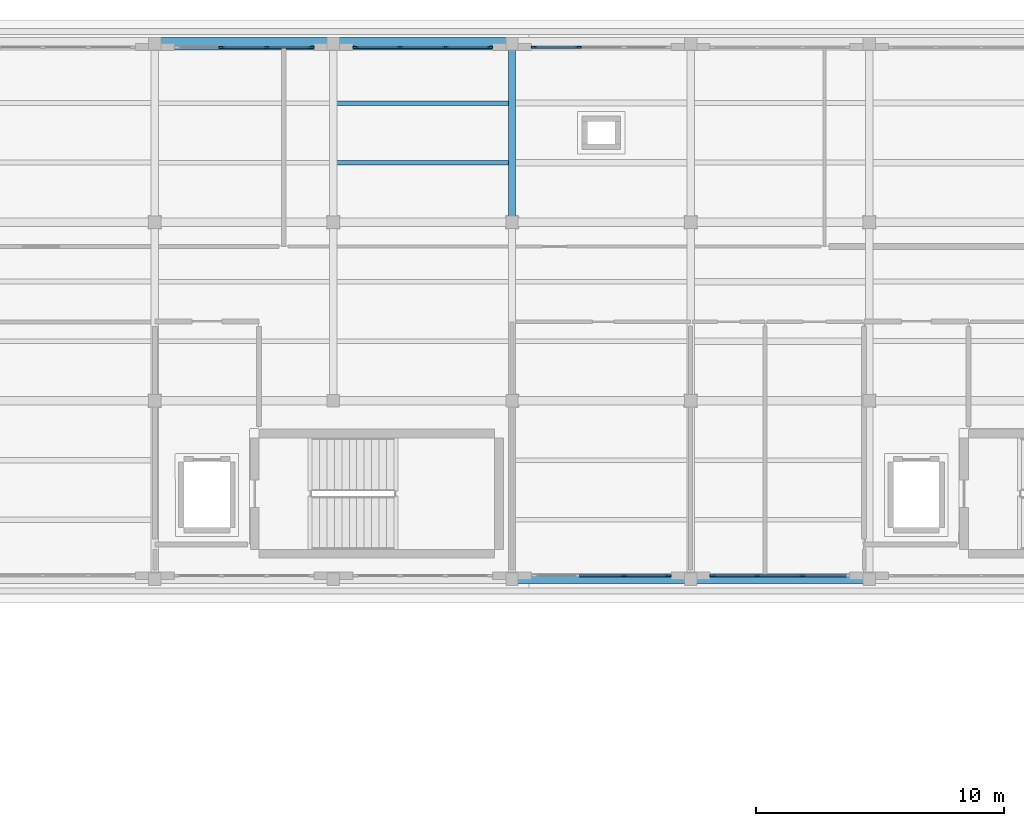
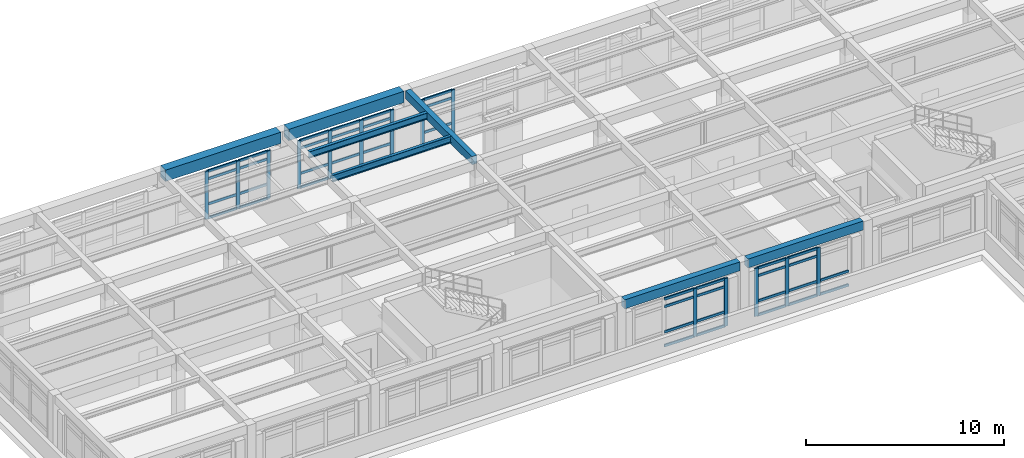
# One storey, part 5 of 20: 56 members, 7 beams, 5 elements without a shape of their own.
"""IFC4 building model written with IfcOpenShell, lengths in metres."""

from ifc_helpers import new_model, si_unit, direction, frame, origin, origin_2d, place, context, subcontext, project, spatial, rectangle, i_section, extrude, material, layer, layer_set, material_profile, profile_set, type_object, element, aggregate, save


model = new_model("IFC4")

# Units and contexts
model_context = context("Model", 3, precision=1e-05, world=origin(), true_north=direction((0.0, 1.0)))
body_context = subcontext(model_context, "Body", "Model", "MODEL_VIEW")
ifc_project = project(units=[si_unit("LENGTHUNIT", "METRE"), si_unit("AREAUNIT", "SQUARE_METRE"), si_unit("VOLUMEUNIT", "CUBIC_METRE"), si_unit("PLANEANGLEUNIT", "RADIAN"), si_unit("MASSUNIT", "GRAM", prefix="KILO")], contexts=[model_context])

# Site, building, storey
site_placement = place(None, origin())
site = spatial("IfcSite", under=ifc_project, at=site_placement, CompositionType="ELEMENT")
building_placement = place(site_placement, origin())
building = spatial("IfcBuilding", under=site, at=building_placement, Name="Solenvale Faculty of Natural Sciences", CompositionType="ELEMENT")
storey_placement = place(building_placement, frame((0.0, 0.0, 35.39990234375)))
storey = spatial("IfcBuildingStorey", under=building, at=storey_placement, Name="L08", CompositionType="ELEMENT", Elevation=35.39990234375)

# Beams
ifc_material_1 = material(Name="Concrete 40 MPa", Category="concrete")
ifc_material_profile_1 = material_profile(ifc_material_1, rectangle(XDim=0.300048828125, YDim=0.5, at=origin_2d()), Name="RC-BM-300x500")
ifc_profile_set_1 = profile_set([ifc_material_profile_1], Name="Concrete 40 MPa")
beam_type_1 = type_object("IfcBeamType", Name="BM-RC-300x500", PredefinedType="BEAM", material=ifc_profile_set_1)
beam_1_placement = place(storey_placement, frame((115.199951171875, 108.22998046875, 3.670166015625), z_axis=(0.0, 1.0, 0.0), x_axis=(-1.0, 0.0, 0.0)))
element("IfcBeam", 1, at=beam_1_placement, inside=storey, type_object=beam_type_1, Name="L08 Y-Girder X115.2 (108.0..115.2)", PredefinedType="BEAM", context=body_context, shape_type="SweptSolid", body=[
    extrude(rectangle(XDim=0.300048828125, YDim=0.5, at=origin_2d()), origin(), (0.0, 0.0, 1.0), 6.739990234375),
])
ifc_material_profile_2 = material_profile(ifc_material_1, rectangle(XDim=0.35009765625, YDim=0.550048828125, at=origin_2d()), Name="RC-BM-350x550")
ifc_profile_set_2 = profile_set([ifc_material_profile_2], Name="Concrete 40 MPa")
beam_type_2 = type_object("IfcBeamType", Name="BM-RC-350x550", PredefinedType="BEAM", material=ifc_profile_set_2)
beam_2_placement = place(storey_placement, frame((115.429931640625, 93.60009765625, 3.64501953125), z_axis=(1.0, 0.0, 0.0), x_axis=(0.0, 1.0, 0.0)))
element("IfcBeam", 2, at=beam_2_placement, inside=storey, type_object=beam_type_2, Name="L08 X-Girder Y93.6 (115.2..122.4)", PredefinedType="BEAM", context=body_context, shape_type="SweptSolid", body=[
    extrude(rectangle(XDim=0.35009765625, YDim=0.550048828125, at=origin_2d()), origin(), (0.0, 0.0, 1.0), 6.739990234375),
])
beam_3_placement = place(storey_placement, frame((122.6298828125, 93.60009765625, 3.64501953125), z_axis=(1.0, 0.0, 0.0), x_axis=(0.0, 1.0, 0.0)))
element("IfcBeam", 3, at=beam_3_placement, inside=storey, type_object=beam_type_2, Name="L08 X-Girder Y93.6 (122.4..129.6)", PredefinedType="BEAM", context=body_context, shape_type="SweptSolid", body=[
    extrude(rectangle(XDim=0.35009765625, YDim=0.550048828125, at=origin_2d()), origin(), (0.0, 0.0, 1.0), 6.740234375),
])
ifc_material_2 = material(Name="Precast concrete 40 MPa", Category="concrete")
ifc_material_profile_3 = material_profile(ifc_material_2, rectangle(XDim=0.5, YDim=0.699951171875, at=origin_2d()), Name="RC-BM-500x700")
ifc_profile_set_3 = profile_set([ifc_material_profile_3], Name="Precast concrete 40 MPa")
beam_type_3 = type_object("IfcBeamType", Name="BM-SPN-PRC-700", PredefinedType="SPANDREL", material=ifc_profile_set_3)
for number, where, z_axis, x_axis, name in (
    (4, (101.030029296875, 115.199951171875, 3.570068359375), (1.0, 0.0, 0.0), (0.0, 1.0, 0.0), "L08 X-Girder Y115.2 (100.8..108.0)"),
    (5, (108.22998046875, 115.199951171875, 3.570068359375), (1.0, 0.0, 0.0), (0.0, 1.0, 0.0), "L08 X-Girder Y115.2 (108.0..115.2)"),
):
    element("IfcBeam", number, at=place(storey_placement, frame(where, z_axis=z_axis, x_axis=x_axis)), inside=storey, type_object=beam_type_3, Name=name, PredefinedType="SPANDREL", context=body_context, shape_type="SweptSolid", body=[
        extrude(rectangle(XDim=0.5, YDim=0.699951171875, at=origin_2d()), origin(), (0.0, 0.0, 1.0), 6.739990234375),
    ])
ifc_material_3 = material(Name="Steel S355", Category="steel")
ifc_material_profile_4 = material_profile(ifc_material_3, i_section(OverallWidth=0.178955078125, OverallDepth=0.409912109375, WebThickness=0.0087890625, FlangeThickness=0.014404296875, FilletRadius=0.01611328125, at=origin_2d()), Name="W410x67")
ifc_profile_set_4 = profile_set([ifc_material_profile_4], Name="Steel S355")
beam_type_4 = type_object("IfcBeamType", Name="BM-STL-W410x67", PredefinedType="JOIST", material=ifc_profile_set_4)
for number, where, z_axis, x_axis, name in (
    (6, (108.1298828125, 110.39990234375, 3.715087890625), (1.0, 0.0, 0.0), (0.0, 1.0, 0.0), "L08 Composite Floor Joist (16,16).1"),
    (7, (108.1298828125, 112.800048828125, 3.715087890625), (1.0, 0.0, 0.0), (0.0, 1.0, 0.0), "L08 Composite Floor Joist (16,16).2"),
):
    element("IfcBeam", number, at=place(storey_placement, frame(where, z_axis=z_axis, x_axis=x_axis)), inside=storey, type_object=beam_type_4, Name=name, PredefinedType="JOIST", context=body_context, shape_type="SweptSolid", body=[
        extrude(i_section(OverallWidth=0.178955078125, OverallDepth=0.409912109375, WebThickness=0.0087890625, FlangeThickness=0.014404296875, FilletRadius=0.01611328125, at=origin_2d()), origin(), (0.0, 0.0, 1.0), 6.940185546875),
    ])

# Curtain wall, members
ifc_material_4 = material(Name="Anodised bronze aluminium", Category="aluminium")
ifc_layer = layer(ifc_material_4, 0.179931640625)
ifc_layer_set = layer_set([ifc_layer], Name="Anodised bronze aluminium")
curtain_wall_type = type_object("IfcCurtainWallType", Name="CW-TWR-MOD", PredefinedType="USERDEFINED", material=ifc_layer_set)
curtain_wall_1_placement = place(storey_placement, origin())
curtain_wall_1 = element("IfcCurtainWall", 8, at=curtain_wall_1_placement, inside=storey, type_object=curtain_wall_type, Name="L08 Curtain Wall CW-L08-P1-E2-B5", ObjectType="UNITISED CURTAIN WALL", PredefinedType="USERDEFINED")
ifc_material_profile_5 = material_profile(ifc_material_4, rectangle(XDim=0.074951171875, YDim=0.2099609375, at=origin_2d()), Name="ALU-MUL-75x210")
ifc_profile_set_5 = profile_set([ifc_material_profile_5], Name="Anodised bronze aluminium")
member_type_1 = type_object("IfcMemberType", Name="CWM-ALU-75x210", PredefinedType="MULLION", material=ifc_profile_set_5)
member_1_placement = place(storey_placement, frame((117.88330078125, 115.0576171875, 0.0), z_axis=(0.0, 0.0, 1.0), x_axis=(0.0, -1.0, 0.0)))
member_1 = element("IfcMember", 9, at=member_1_placement, type_object=member_type_1, Name="CW-04 mullion 3", PredefinedType="MULLION", context=body_context, shape_type="SweptSolid", body=[
    extrude(rectangle(XDim=0.074951171875, YDim=0.2099609375, at=origin_2d()), origin(), (0.0, 0.0, 1.0), 2.960205078125),
])
member_2_placement = place(storey_placement, frame((116.08740234375, 115.0576171875, 0.0), z_axis=(0.0, 0.0, 1.0), x_axis=(0.0, -1.0, 0.0)))
member_2 = element("IfcMember", 10, at=member_2_placement, type_object=member_type_1, Name="CW-04 mullion 4", PredefinedType="MULLION", context=body_context, shape_type="SweptSolid", body=[
    extrude(rectangle(XDim=0.074951171875, YDim=0.2099609375, at=origin_2d()), origin(), (0.0, 0.0, 1.0), 2.960205078125),
])

curtain_wall_2_placement = place(storey_placement, origin())
curtain_wall_2 = element("IfcCurtainWall", 11, at=curtain_wall_2_placement, inside=storey, type_object=curtain_wall_type, Name="L08 Curtain Wall CW-L08-P1-E2-B6", ObjectType="UNITISED CURTAIN WALL", PredefinedType="USERDEFINED")
member_3_placement = place(storey_placement, frame((114.3125, 115.0576171875, 0.0), z_axis=(0.0, 0.0, 1.0), x_axis=(0.0, -1.0, 0.0)))
member_3 = element("IfcMember", 12, at=member_3_placement, type_object=member_type_1, Name="CW-04 mullion 1", PredefinedType="MULLION", context=body_context, shape_type="SweptSolid", body=[
    extrude(rectangle(XDim=0.074951171875, YDim=0.2099609375, at=origin_2d()), origin(), (0.0, 0.0, 1.0), 2.960205078125),
])
member_4_placement = place(storey_placement, frame((112.5166015625, 115.0576171875, 0.0), z_axis=(0.0, 0.0, 1.0), x_axis=(0.0, -1.0, 0.0)))
member_4 = element("IfcMember", 13, at=member_4_placement, type_object=member_type_1, Name="CW-04 mullion 2", PredefinedType="MULLION", context=body_context, shape_type="SweptSolid", body=[
    extrude(rectangle(XDim=0.074951171875, YDim=0.2099609375, at=origin_2d()), origin(), (0.0, 0.0, 1.0), 2.960205078125),
])
member_5_placement = place(storey_placement, frame((110.683349609375, 115.0576171875, 0.0), z_axis=(0.0, 0.0, 1.0), x_axis=(0.0, -1.0, 0.0)))
member_5 = element("IfcMember", 14, at=member_5_placement, type_object=member_type_1, Name="CW-04 mullion 3", PredefinedType="MULLION", context=body_context, shape_type="SweptSolid", body=[
    extrude(rectangle(XDim=0.074951171875, YDim=0.2099609375, at=origin_2d()), origin(), (0.0, 0.0, 1.0), 2.960205078125),
])
member_6_placement = place(storey_placement, frame((108.887451171875, 115.0576171875, 0.0), z_axis=(0.0, 0.0, 1.0), x_axis=(0.0, -1.0, 0.0)))
member_6 = element("IfcMember", 15, at=member_6_placement, type_object=member_type_1, Name="CW-04 mullion 4", PredefinedType="MULLION", context=body_context, shape_type="SweptSolid", body=[
    extrude(rectangle(XDim=0.074951171875, YDim=0.2099609375, at=origin_2d()), origin(), (0.0, 0.0, 1.0), 2.960205078125),
])

curtain_wall_3_placement = place(storey_placement, origin())
curtain_wall_3 = element("IfcCurtainWall", 16, at=curtain_wall_3_placement, inside=storey, type_object=curtain_wall_type, Name="L08 Curtain Wall CW-L08-P1-E2-B7", ObjectType="UNITISED CURTAIN WALL", PredefinedType="USERDEFINED")
member_7_placement = place(storey_placement, frame((107.112548828125, 115.0576171875, 0.0), z_axis=(0.0, 0.0, 1.0), x_axis=(0.0, -1.0, 0.0)))
member_7 = element("IfcMember", 17, at=member_7_placement, type_object=member_type_1, Name="CW-04 mullion 1", PredefinedType="MULLION", context=body_context, shape_type="SweptSolid", body=[
    extrude(rectangle(XDim=0.074951171875, YDim=0.2099609375, at=origin_2d()), origin(), (0.0, 0.0, 1.0), 2.960205078125),
])
member_8_placement = place(storey_placement, frame((105.316650390625, 115.0576171875, 0.0), z_axis=(0.0, 0.0, 1.0), x_axis=(0.0, -1.0, 0.0)))
member_8 = element("IfcMember", 18, at=member_8_placement, type_object=member_type_1, Name="CW-04 mullion 2", PredefinedType="MULLION", context=body_context, shape_type="SweptSolid", body=[
    extrude(rectangle(XDim=0.074951171875, YDim=0.2099609375, at=origin_2d()), origin(), (0.0, 0.0, 1.0), 2.960205078125),
])
member_9_placement = place(storey_placement, frame((103.4833984375, 115.0576171875, 0.0), z_axis=(0.0, 0.0, 1.0), x_axis=(0.0, -1.0, 0.0)))
member_9 = element("IfcMember", 19, at=member_9_placement, type_object=member_type_1, Name="CW-04 mullion 3", PredefinedType="MULLION", context=body_context, shape_type="SweptSolid", body=[
    extrude(rectangle(XDim=0.074951171875, YDim=0.2099609375, at=origin_2d()), origin(), (0.0, 0.0, 1.0), 2.960205078125),
])

curtain_wall_4_placement = place(storey_placement, origin())
curtain_wall_4 = element("IfcCurtainWall", 20, at=curtain_wall_4_placement, inside=storey, type_object=curtain_wall_type, Name="L08 Curtain Wall CW-L08-P1-E4-B5", ObjectType="UNITISED CURTAIN WALL", PredefinedType="USERDEFINED")
member_10_placement = place(storey_placement, frame((119.716552734375, 93.742431640625, 0.0), z_axis=(0.0, 0.0, 1.0), x_axis=(0.0, 1.0, 0.0)))
member_10 = element("IfcMember", 21, at=member_10_placement, type_object=member_type_1, Name="CW-04 mullion 3", PredefinedType="MULLION", context=body_context, shape_type="SweptSolid", body=[
    extrude(rectangle(XDim=0.074951171875, YDim=0.2099609375, at=origin_2d()), origin(), (0.0, 0.0, 1.0), 2.960205078125),
])
member_11_placement = place(storey_placement, frame((121.512451171875, 93.742431640625, 0.0), z_axis=(0.0, 0.0, 1.0), x_axis=(0.0, 1.0, 0.0)))
member_11 = element("IfcMember", 22, at=member_11_placement, type_object=member_type_1, Name="CW-04 mullion 4", PredefinedType="MULLION", context=body_context, shape_type="SweptSolid", body=[
    extrude(rectangle(XDim=0.074951171875, YDim=0.2099609375, at=origin_2d()), origin(), (0.0, 0.0, 1.0), 2.960205078125),
])

curtain_wall_5_placement = place(storey_placement, origin())
curtain_wall_5 = element("IfcCurtainWall", 23, at=curtain_wall_5_placement, inside=storey, type_object=curtain_wall_type, Name="L08 Curtain Wall CW-L08-P1-E4-B6", ObjectType="UNITISED CURTAIN WALL", PredefinedType="USERDEFINED")
member_12_placement = place(storey_placement, frame((123.28759765625, 93.742431640625, 0.0), z_axis=(0.0, 0.0, 1.0), x_axis=(0.0, 1.0, 0.0)))
member_12 = element("IfcMember", 24, at=member_12_placement, type_object=member_type_1, Name="CW-04 mullion 1", PredefinedType="MULLION", context=body_context, shape_type="SweptSolid", body=[
    extrude(rectangle(XDim=0.074951171875, YDim=0.2099609375, at=origin_2d()), origin(), (0.0, 0.0, 1.0), 2.960205078125),
])
member_13_placement = place(storey_placement, frame((125.083251953125, 93.742431640625, 0.0), z_axis=(0.0, 0.0, 1.0), x_axis=(0.0, 1.0, 0.0)))
member_13 = element("IfcMember", 25, at=member_13_placement, type_object=member_type_1, Name="CW-04 mullion 2", PredefinedType="MULLION", context=body_context, shape_type="SweptSolid", body=[
    extrude(rectangle(XDim=0.074951171875, YDim=0.2099609375, at=origin_2d()), origin(), (0.0, 0.0, 1.0), 2.960205078125),
])
member_14_placement = place(storey_placement, frame((126.916748046875, 93.742431640625, 0.0), z_axis=(0.0, 0.0, 1.0), x_axis=(0.0, 1.0, 0.0)))
member_14 = element("IfcMember", 26, at=member_14_placement, type_object=member_type_1, Name="CW-04 mullion 3", PredefinedType="MULLION", context=body_context, shape_type="SweptSolid", body=[
    extrude(rectangle(XDim=0.074951171875, YDim=0.2099609375, at=origin_2d()), origin(), (0.0, 0.0, 1.0), 2.960205078125),
])

# Member
ifc_material_profile_6 = material_profile(ifc_material_4, rectangle(XDim=0.074951171875, YDim=0.155029296875, at=origin_2d()), Name="ALU-TRN-75x155")
ifc_profile_set_6 = profile_set([ifc_material_profile_6], Name="Anodised bronze aluminium")
member_type_2 = type_object("IfcMemberType", Name="CWT-ALU-75x155", PredefinedType="USERDEFINED", material=ifc_profile_set_6)
member_15_placement = place(storey_placement, frame((117.845947265625, 115.0576171875, 0.03759765625), z_axis=(-1.0, 0.0, 0.0), x_axis=(0.0, -1.0, 0.0)))
member_15 = element("IfcMember", 27, at=member_15_placement, type_object=member_type_2, Name="CW-04 transom 3.1", ObjectType="TRANSOM", PredefinedType="USERDEFINED", context=body_context, shape_type="SweptSolid", body=[
    extrude(rectangle(XDim=0.074951171875, YDim=0.155029296875, at=origin_2d()), origin(), (0.0, 0.0, 1.0), 1.720947265625),
])

member_16_placement = place(storey_placement, frame((117.845947265625, 115.0576171875, 0.900146484375), z_axis=(-1.0, 0.0, 0.0), x_axis=(0.0, -1.0, 0.0)))
member_16 = element("IfcMember", 28, at=member_16_placement, type_object=member_type_2, Name="CW-04 transom 3.2", ObjectType="TRANSOM", PredefinedType="USERDEFINED", context=body_context, shape_type="SweptSolid", body=[
    extrude(rectangle(XDim=0.074951171875, YDim=0.155029296875, at=origin_2d()), origin(), (0.0, 0.0, 1.0), 1.720947265625),
])

member_17_placement = place(storey_placement, frame((117.845947265625, 115.0576171875, 2.460205078125), z_axis=(-1.0, 0.0, 0.0), x_axis=(0.0, -1.0, 0.0)))
member_17 = element("IfcMember", 29, at=member_17_placement, type_object=member_type_2, Name="CW-04 transom 3.3", ObjectType="TRANSOM", PredefinedType="USERDEFINED", context=body_context, shape_type="SweptSolid", body=[
    extrude(rectangle(XDim=0.074951171875, YDim=0.155029296875, at=origin_2d()), origin(), (0.0, 0.0, 1.0), 1.720947265625),
])

member_18_placement = place(storey_placement, frame((117.845947265625, 115.0576171875, 2.922607421875), z_axis=(-1.0, 0.0, 0.0), x_axis=(0.0, -1.0, 0.0)))
member_18 = element("IfcMember", 30, at=member_18_placement, type_object=member_type_2, Name="CW-04 transom 3.4", ObjectType="TRANSOM", PredefinedType="USERDEFINED", context=body_context, shape_type="SweptSolid", body=[
    extrude(rectangle(XDim=0.074951171875, YDim=0.155029296875, at=origin_2d()), origin(), (0.0, 0.0, 1.0), 1.720947265625),
])

aggregate(curtain_wall_1, [member_1, member_2, member_15, member_16, member_17, member_18])

member_19_placement = place(storey_placement, frame((114.27490234375, 115.0576171875, 0.03759765625), z_axis=(-1.0, 0.0, 0.0), x_axis=(0.0, -1.0, 0.0)))
member_19 = element("IfcMember", 31, at=member_19_placement, type_object=member_type_2, Name="CW-04 transom 1.1", ObjectType="TRANSOM", PredefinedType="USERDEFINED", context=body_context, shape_type="SweptSolid", body=[
    extrude(rectangle(XDim=0.074951171875, YDim=0.155029296875, at=origin_2d()), origin(), (0.0, 0.0, 1.0), 1.720703125),
])

member_20_placement = place(storey_placement, frame((114.27490234375, 115.0576171875, 0.900146484375), z_axis=(-1.0, 0.0, 0.0), x_axis=(0.0, -1.0, 0.0)))
member_20 = element("IfcMember", 32, at=member_20_placement, type_object=member_type_2, Name="CW-04 transom 1.2", ObjectType="TRANSOM", PredefinedType="USERDEFINED", context=body_context, shape_type="SweptSolid", body=[
    extrude(rectangle(XDim=0.074951171875, YDim=0.155029296875, at=origin_2d()), origin(), (0.0, 0.0, 1.0), 1.720703125),
])

member_21_placement = place(storey_placement, frame((114.27490234375, 115.0576171875, 2.460205078125), z_axis=(-1.0, 0.0, 0.0), x_axis=(0.0, -1.0, 0.0)))
member_21 = element("IfcMember", 33, at=member_21_placement, type_object=member_type_2, Name="CW-04 transom 1.3", ObjectType="TRANSOM", PredefinedType="USERDEFINED", context=body_context, shape_type="SweptSolid", body=[
    extrude(rectangle(XDim=0.074951171875, YDim=0.155029296875, at=origin_2d()), origin(), (0.0, 0.0, 1.0), 1.720703125),
])

member_22_placement = place(storey_placement, frame((114.27490234375, 115.0576171875, 2.922607421875), z_axis=(-1.0, 0.0, 0.0), x_axis=(0.0, -1.0, 0.0)))
member_22 = element("IfcMember", 34, at=member_22_placement, type_object=member_type_2, Name="CW-04 transom 1.4", ObjectType="TRANSOM", PredefinedType="USERDEFINED", context=body_context, shape_type="SweptSolid", body=[
    extrude(rectangle(XDim=0.074951171875, YDim=0.155029296875, at=origin_2d()), origin(), (0.0, 0.0, 1.0), 1.720703125),
])

member_23_placement = place(storey_placement, frame((112.479248046875, 115.0576171875, 0.03759765625), z_axis=(-1.0, 0.0, 0.0), x_axis=(0.0, -1.0, 0.0)))
member_23 = element("IfcMember", 35, at=member_23_placement, type_object=member_type_2, Name="CW-04 transom 2.1", ObjectType="TRANSOM", PredefinedType="USERDEFINED", context=body_context, shape_type="SweptSolid", body=[
    extrude(rectangle(XDim=0.074951171875, YDim=0.155029296875, at=origin_2d()), origin(), (0.0, 0.0, 1.0), 1.75830078125),
])

member_24_placement = place(storey_placement, frame((112.479248046875, 115.0576171875, 0.900146484375), z_axis=(-1.0, 0.0, 0.0), x_axis=(0.0, -1.0, 0.0)))
member_24 = element("IfcMember", 36, at=member_24_placement, type_object=member_type_2, Name="CW-04 transom 2.2", ObjectType="TRANSOM", PredefinedType="USERDEFINED", context=body_context, shape_type="SweptSolid", body=[
    extrude(rectangle(XDim=0.074951171875, YDim=0.155029296875, at=origin_2d()), origin(), (0.0, 0.0, 1.0), 1.75830078125),
])

member_25_placement = place(storey_placement, frame((112.479248046875, 115.0576171875, 2.460205078125), z_axis=(-1.0, 0.0, 0.0), x_axis=(0.0, -1.0, 0.0)))
member_25 = element("IfcMember", 37, at=member_25_placement, type_object=member_type_2, Name="CW-04 transom 2.3", ObjectType="TRANSOM", PredefinedType="USERDEFINED", context=body_context, shape_type="SweptSolid", body=[
    extrude(rectangle(XDim=0.074951171875, YDim=0.155029296875, at=origin_2d()), origin(), (0.0, 0.0, 1.0), 1.75830078125),
])

member_26_placement = place(storey_placement, frame((112.479248046875, 115.0576171875, 2.922607421875), z_axis=(-1.0, 0.0, 0.0), x_axis=(0.0, -1.0, 0.0)))
member_26 = element("IfcMember", 38, at=member_26_placement, type_object=member_type_2, Name="CW-04 transom 2.4", ObjectType="TRANSOM", PredefinedType="USERDEFINED", context=body_context, shape_type="SweptSolid", body=[
    extrude(rectangle(XDim=0.074951171875, YDim=0.155029296875, at=origin_2d()), origin(), (0.0, 0.0, 1.0), 1.75830078125),
])

member_27_placement = place(storey_placement, frame((110.645751953125, 115.0576171875, 0.03759765625), z_axis=(-1.0, 0.0, 0.0), x_axis=(0.0, -1.0, 0.0)))
member_27 = element("IfcMember", 39, at=member_27_placement, type_object=member_type_2, Name="CW-04 transom 3.1", ObjectType="TRANSOM", PredefinedType="USERDEFINED", context=body_context, shape_type="SweptSolid", body=[
    extrude(rectangle(XDim=0.074951171875, YDim=0.155029296875, at=origin_2d()), origin(), (0.0, 0.0, 1.0), 1.720703125),
])

member_28_placement = place(storey_placement, frame((110.645751953125, 115.0576171875, 0.900146484375), z_axis=(-1.0, 0.0, 0.0), x_axis=(0.0, -1.0, 0.0)))
member_28 = element("IfcMember", 40, at=member_28_placement, type_object=member_type_2, Name="CW-04 transom 3.2", ObjectType="TRANSOM", PredefinedType="USERDEFINED", context=body_context, shape_type="SweptSolid", body=[
    extrude(rectangle(XDim=0.074951171875, YDim=0.155029296875, at=origin_2d()), origin(), (0.0, 0.0, 1.0), 1.720703125),
])

member_29_placement = place(storey_placement, frame((110.645751953125, 115.0576171875, 2.460205078125), z_axis=(-1.0, 0.0, 0.0), x_axis=(0.0, -1.0, 0.0)))
member_29 = element("IfcMember", 41, at=member_29_placement, type_object=member_type_2, Name="CW-04 transom 3.3", ObjectType="TRANSOM", PredefinedType="USERDEFINED", context=body_context, shape_type="SweptSolid", body=[
    extrude(rectangle(XDim=0.074951171875, YDim=0.155029296875, at=origin_2d()), origin(), (0.0, 0.0, 1.0), 1.720703125),
])

member_30_placement = place(storey_placement, frame((110.645751953125, 115.0576171875, 2.922607421875), z_axis=(-1.0, 0.0, 0.0), x_axis=(0.0, -1.0, 0.0)))
member_30 = element("IfcMember", 42, at=member_30_placement, type_object=member_type_2, Name="CW-04 transom 3.4", ObjectType="TRANSOM", PredefinedType="USERDEFINED", context=body_context, shape_type="SweptSolid", body=[
    extrude(rectangle(XDim=0.074951171875, YDim=0.155029296875, at=origin_2d()), origin(), (0.0, 0.0, 1.0), 1.720703125),
])

aggregate(curtain_wall_2, [member_3, member_4, member_5, member_6, member_19, member_20, member_21, member_22, member_23, member_24, member_25, member_26, member_27, member_28, member_29, member_30])

member_31_placement = place(storey_placement, frame((107.074951171875, 115.0576171875, 0.03759765625), z_axis=(-1.0, 0.0, 0.0), x_axis=(0.0, -1.0, 0.0)))
member_31 = element("IfcMember", 43, at=member_31_placement, type_object=member_type_2, Name="CW-04 transom 1.1", ObjectType="TRANSOM", PredefinedType="USERDEFINED", context=body_context, shape_type="SweptSolid", body=[
    extrude(rectangle(XDim=0.074951171875, YDim=0.155029296875, at=origin_2d()), origin(), (0.0, 0.0, 1.0), 1.720703125),
])

member_32_placement = place(storey_placement, frame((107.074951171875, 115.0576171875, 0.900146484375), z_axis=(-1.0, 0.0, 0.0), x_axis=(0.0, -1.0, 0.0)))
member_32 = element("IfcMember", 44, at=member_32_placement, type_object=member_type_2, Name="CW-04 transom 1.2", ObjectType="TRANSOM", PredefinedType="USERDEFINED", context=body_context, shape_type="SweptSolid", body=[
    extrude(rectangle(XDim=0.074951171875, YDim=0.155029296875, at=origin_2d()), origin(), (0.0, 0.0, 1.0), 1.720703125),
])

member_33_placement = place(storey_placement, frame((107.074951171875, 115.0576171875, 2.460205078125), z_axis=(-1.0, 0.0, 0.0), x_axis=(0.0, -1.0, 0.0)))
member_33 = element("IfcMember", 45, at=member_33_placement, type_object=member_type_2, Name="CW-04 transom 1.3", ObjectType="TRANSOM", PredefinedType="USERDEFINED", context=body_context, shape_type="SweptSolid", body=[
    extrude(rectangle(XDim=0.074951171875, YDim=0.155029296875, at=origin_2d()), origin(), (0.0, 0.0, 1.0), 1.720703125),
])

member_34_placement = place(storey_placement, frame((107.074951171875, 115.0576171875, 2.922607421875), z_axis=(-1.0, 0.0, 0.0), x_axis=(0.0, -1.0, 0.0)))
member_34 = element("IfcMember", 46, at=member_34_placement, type_object=member_type_2, Name="CW-04 transom 1.4", ObjectType="TRANSOM", PredefinedType="USERDEFINED", context=body_context, shape_type="SweptSolid", body=[
    extrude(rectangle(XDim=0.074951171875, YDim=0.155029296875, at=origin_2d()), origin(), (0.0, 0.0, 1.0), 1.720703125),
])

member_35_placement = place(storey_placement, frame((105.279052734375, 115.0576171875, 0.03759765625), z_axis=(-1.0, 0.0, 0.0), x_axis=(0.0, -1.0, 0.0)))
member_35 = element("IfcMember", 47, at=member_35_placement, type_object=member_type_2, Name="CW-04 transom 2.1", ObjectType="TRANSOM", PredefinedType="USERDEFINED", context=body_context, shape_type="SweptSolid", body=[
    extrude(rectangle(XDim=0.074951171875, YDim=0.155029296875, at=origin_2d()), origin(), (0.0, 0.0, 1.0), 1.75830078125),
])

member_36_placement = place(storey_placement, frame((105.279052734375, 115.0576171875, 0.900146484375), z_axis=(-1.0, 0.0, 0.0), x_axis=(0.0, -1.0, 0.0)))
member_36 = element("IfcMember", 48, at=member_36_placement, type_object=member_type_2, Name="CW-04 transom 2.2", ObjectType="TRANSOM", PredefinedType="USERDEFINED", context=body_context, shape_type="SweptSolid", body=[
    extrude(rectangle(XDim=0.074951171875, YDim=0.155029296875, at=origin_2d()), origin(), (0.0, 0.0, 1.0), 1.75830078125),
])

member_37_placement = place(storey_placement, frame((105.279052734375, 115.0576171875, 2.460205078125), z_axis=(-1.0, 0.0, 0.0), x_axis=(0.0, -1.0, 0.0)))
member_37 = element("IfcMember", 49, at=member_37_placement, type_object=member_type_2, Name="CW-04 transom 2.3", ObjectType="TRANSOM", PredefinedType="USERDEFINED", context=body_context, shape_type="SweptSolid", body=[
    extrude(rectangle(XDim=0.074951171875, YDim=0.155029296875, at=origin_2d()), origin(), (0.0, 0.0, 1.0), 1.75830078125),
])

member_38_placement = place(storey_placement, frame((105.279052734375, 115.0576171875, 2.922607421875), z_axis=(-1.0, 0.0, 0.0), x_axis=(0.0, -1.0, 0.0)))
member_38 = element("IfcMember", 50, at=member_38_placement, type_object=member_type_2, Name="CW-04 transom 2.4", ObjectType="TRANSOM", PredefinedType="USERDEFINED", context=body_context, shape_type="SweptSolid", body=[
    extrude(rectangle(XDim=0.074951171875, YDim=0.155029296875, at=origin_2d()), origin(), (0.0, 0.0, 1.0), 1.75830078125),
])

aggregate(curtain_wall_3, [member_7, member_8, member_9, member_31, member_32, member_33, member_34, member_35, member_36, member_37, member_38])

member_39_placement = place(storey_placement, frame((117.9208984375, 93.742431640625, 0.03759765625), z_axis=(1.0, 0.0, 0.0), x_axis=(0.0, 1.0, 0.0)))
member_39 = element("IfcMember", 51, at=member_39_placement, type_object=member_type_2, Name="CW-04 transom 2.1", ObjectType="TRANSOM", PredefinedType="USERDEFINED", context=body_context, shape_type="SweptSolid", body=[
    extrude(rectangle(XDim=0.074951171875, YDim=0.155029296875, at=origin_2d()), origin(), (0.0, 0.0, 1.0), 1.75830078125),
])

member_40_placement = place(storey_placement, frame((117.9208984375, 93.742431640625, 0.900146484375), z_axis=(1.0, 0.0, 0.0), x_axis=(0.0, 1.0, 0.0)))
member_40 = element("IfcMember", 52, at=member_40_placement, type_object=member_type_2, Name="CW-04 transom 2.2", ObjectType="TRANSOM", PredefinedType="USERDEFINED", context=body_context, shape_type="SweptSolid", body=[
    extrude(rectangle(XDim=0.074951171875, YDim=0.155029296875, at=origin_2d()), origin(), (0.0, 0.0, 1.0), 1.75830078125),
])

member_41_placement = place(storey_placement, frame((117.9208984375, 93.742431640625, 2.460205078125), z_axis=(1.0, 0.0, 0.0), x_axis=(0.0, 1.0, 0.0)))
member_41 = element("IfcMember", 53, at=member_41_placement, type_object=member_type_2, Name="CW-04 transom 2.3", ObjectType="TRANSOM", PredefinedType="USERDEFINED", context=body_context, shape_type="SweptSolid", body=[
    extrude(rectangle(XDim=0.074951171875, YDim=0.155029296875, at=origin_2d()), origin(), (0.0, 0.0, 1.0), 1.75830078125),
])

member_42_placement = place(storey_placement, frame((117.9208984375, 93.742431640625, 2.922607421875), z_axis=(1.0, 0.0, 0.0), x_axis=(0.0, 1.0, 0.0)))
member_42 = element("IfcMember", 54, at=member_42_placement, type_object=member_type_2, Name="CW-04 transom 2.4", ObjectType="TRANSOM", PredefinedType="USERDEFINED", context=body_context, shape_type="SweptSolid", body=[
    extrude(rectangle(XDim=0.074951171875, YDim=0.155029296875, at=origin_2d()), origin(), (0.0, 0.0, 1.0), 1.75830078125),
])

member_43_placement = place(storey_placement, frame((119.754150390625, 93.742431640625, 0.03759765625), z_axis=(1.0, 0.0, 0.0), x_axis=(0.0, 1.0, 0.0)))
member_43 = element("IfcMember", 55, at=member_43_placement, type_object=member_type_2, Name="CW-04 transom 3.1", ObjectType="TRANSOM", PredefinedType="USERDEFINED", context=body_context, shape_type="SweptSolid", body=[
    extrude(rectangle(XDim=0.074951171875, YDim=0.155029296875, at=origin_2d()), origin(), (0.0, 0.0, 1.0), 1.720947265625),
])

member_44_placement = place(storey_placement, frame((119.754150390625, 93.742431640625, 0.900146484375), z_axis=(1.0, 0.0, 0.0), x_axis=(0.0, 1.0, 0.0)))
member_44 = element("IfcMember", 56, at=member_44_placement, type_object=member_type_2, Name="CW-04 transom 3.2", ObjectType="TRANSOM", PredefinedType="USERDEFINED", context=body_context, shape_type="SweptSolid", body=[
    extrude(rectangle(XDim=0.074951171875, YDim=0.155029296875, at=origin_2d()), origin(), (0.0, 0.0, 1.0), 1.720947265625),
])

member_45_placement = place(storey_placement, frame((119.754150390625, 93.742431640625, 2.460205078125), z_axis=(1.0, 0.0, 0.0), x_axis=(0.0, 1.0, 0.0)))
member_45 = element("IfcMember", 57, at=member_45_placement, type_object=member_type_2, Name="CW-04 transom 3.3", ObjectType="TRANSOM", PredefinedType="USERDEFINED", context=body_context, shape_type="SweptSolid", body=[
    extrude(rectangle(XDim=0.074951171875, YDim=0.155029296875, at=origin_2d()), origin(), (0.0, 0.0, 1.0), 1.720947265625),
])

member_46_placement = place(storey_placement, frame((119.754150390625, 93.742431640625, 2.922607421875), z_axis=(1.0, 0.0, 0.0), x_axis=(0.0, 1.0, 0.0)))
member_46 = element("IfcMember", 58, at=member_46_placement, type_object=member_type_2, Name="CW-04 transom 3.4", ObjectType="TRANSOM", PredefinedType="USERDEFINED", context=body_context, shape_type="SweptSolid", body=[
    extrude(rectangle(XDim=0.074951171875, YDim=0.155029296875, at=origin_2d()), origin(), (0.0, 0.0, 1.0), 1.720947265625),
])

aggregate(curtain_wall_4, [member_10, member_11, member_39, member_40, member_41, member_42, member_43, member_44, member_45, member_46])

member_47_placement = place(storey_placement, frame((123.324951171875, 93.742431640625, 0.03759765625), z_axis=(1.0, 0.0, 0.0), x_axis=(0.0, 1.0, 0.0)))
member_47 = element("IfcMember", 59, at=member_47_placement, type_object=member_type_2, Name="CW-04 transom 1.1", ObjectType="TRANSOM", PredefinedType="USERDEFINED", context=body_context, shape_type="SweptSolid", body=[
    extrude(rectangle(XDim=0.074951171875, YDim=0.155029296875, at=origin_2d()), origin(), (0.0, 0.0, 1.0), 1.720947265625),
])

member_48_placement = place(storey_placement, frame((123.324951171875, 93.742431640625, 0.900146484375), z_axis=(1.0, 0.0, 0.0), x_axis=(0.0, 1.0, 0.0)))
member_48 = element("IfcMember", 60, at=member_48_placement, type_object=member_type_2, Name="CW-04 transom 1.2", ObjectType="TRANSOM", PredefinedType="USERDEFINED", context=body_context, shape_type="SweptSolid", body=[
    extrude(rectangle(XDim=0.074951171875, YDim=0.155029296875, at=origin_2d()), origin(), (0.0, 0.0, 1.0), 1.720947265625),
])

member_49_placement = place(storey_placement, frame((123.324951171875, 93.742431640625, 2.460205078125), z_axis=(1.0, 0.0, 0.0), x_axis=(0.0, 1.0, 0.0)))
member_49 = element("IfcMember", 61, at=member_49_placement, type_object=member_type_2, Name="CW-04 transom 1.3", ObjectType="TRANSOM", PredefinedType="USERDEFINED", context=body_context, shape_type="SweptSolid", body=[
    extrude(rectangle(XDim=0.074951171875, YDim=0.155029296875, at=origin_2d()), origin(), (0.0, 0.0, 1.0), 1.720947265625),
])

member_50_placement = place(storey_placement, frame((123.324951171875, 93.742431640625, 2.922607421875), z_axis=(1.0, 0.0, 0.0), x_axis=(0.0, 1.0, 0.0)))
member_50 = element("IfcMember", 62, at=member_50_placement, type_object=member_type_2, Name="CW-04 transom 1.4", ObjectType="TRANSOM", PredefinedType="USERDEFINED", context=body_context, shape_type="SweptSolid", body=[
    extrude(rectangle(XDim=0.074951171875, YDim=0.155029296875, at=origin_2d()), origin(), (0.0, 0.0, 1.0), 1.720947265625),
])

member_51_placement = place(storey_placement, frame((125.120849609375, 93.742431640625, 0.03759765625), z_axis=(1.0, 0.0, 0.0), x_axis=(0.0, 1.0, 0.0)))
member_51 = element("IfcMember", 63, at=member_51_placement, type_object=member_type_2, Name="CW-04 transom 2.1", ObjectType="TRANSOM", PredefinedType="USERDEFINED", context=body_context, shape_type="SweptSolid", body=[
    extrude(rectangle(XDim=0.074951171875, YDim=0.155029296875, at=origin_2d()), origin(), (0.0, 0.0, 1.0), 1.75830078125),
])

member_52_placement = place(storey_placement, frame((125.120849609375, 93.742431640625, 0.900146484375), z_axis=(1.0, 0.0, 0.0), x_axis=(0.0, 1.0, 0.0)))
member_52 = element("IfcMember", 64, at=member_52_placement, type_object=member_type_2, Name="CW-04 transom 2.2", ObjectType="TRANSOM", PredefinedType="USERDEFINED", context=body_context, shape_type="SweptSolid", body=[
    extrude(rectangle(XDim=0.074951171875, YDim=0.155029296875, at=origin_2d()), origin(), (0.0, 0.0, 1.0), 1.75830078125),
])

member_53_placement = place(storey_placement, frame((125.120849609375, 93.742431640625, 2.460205078125), z_axis=(1.0, 0.0, 0.0), x_axis=(0.0, 1.0, 0.0)))
member_53 = element("IfcMember", 65, at=member_53_placement, type_object=member_type_2, Name="CW-04 transom 2.3", ObjectType="TRANSOM", PredefinedType="USERDEFINED", context=body_context, shape_type="SweptSolid", body=[
    extrude(rectangle(XDim=0.074951171875, YDim=0.155029296875, at=origin_2d()), origin(), (0.0, 0.0, 1.0), 1.75830078125),
])

member_54_placement = place(storey_placement, frame((125.120849609375, 93.742431640625, 2.922607421875), z_axis=(1.0, 0.0, 0.0), x_axis=(0.0, 1.0, 0.0)))
member_54 = element("IfcMember", 66, at=member_54_placement, type_object=member_type_2, Name="CW-04 transom 2.4", ObjectType="TRANSOM", PredefinedType="USERDEFINED", context=body_context, shape_type="SweptSolid", body=[
    extrude(rectangle(XDim=0.074951171875, YDim=0.155029296875, at=origin_2d()), origin(), (0.0, 0.0, 1.0), 1.75830078125),
])

member_55_placement = place(storey_placement, frame((126.9541015625, 93.742431640625, 0.03759765625), z_axis=(1.0, 0.0, 0.0), x_axis=(0.0, 1.0, 0.0)))
member_55 = element("IfcMember", 67, at=member_55_placement, type_object=member_type_2, Name="CW-04 transom 3.1", ObjectType="TRANSOM", PredefinedType="USERDEFINED", context=body_context, shape_type="SweptSolid", body=[
    extrude(rectangle(XDim=0.074951171875, YDim=0.155029296875, at=origin_2d()), origin(), (0.0, 0.0, 1.0), 1.720947265625),
])

member_56_placement = place(storey_placement, frame((126.9541015625, 93.742431640625, 0.900146484375), z_axis=(1.0, 0.0, 0.0), x_axis=(0.0, 1.0, 0.0)))
member_56 = element("IfcMember", 68, at=member_56_placement, type_object=member_type_2, Name="CW-04 transom 3.2", ObjectType="TRANSOM", PredefinedType="USERDEFINED", context=body_context, shape_type="SweptSolid", body=[
    extrude(rectangle(XDim=0.074951171875, YDim=0.155029296875, at=origin_2d()), origin(), (0.0, 0.0, 1.0), 1.720947265625),
])

aggregate(curtain_wall_5, [member_12, member_13, member_14, member_47, member_48, member_49, member_50, member_51, member_52, member_53, member_54, member_55, member_56])

save(model, "model.ifc")
